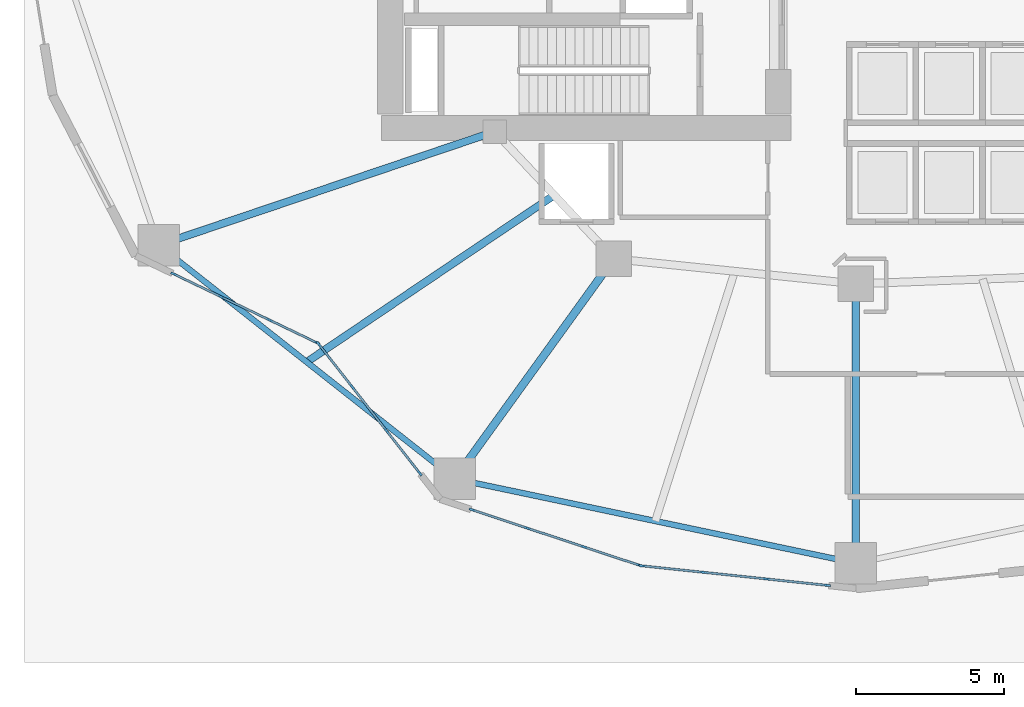
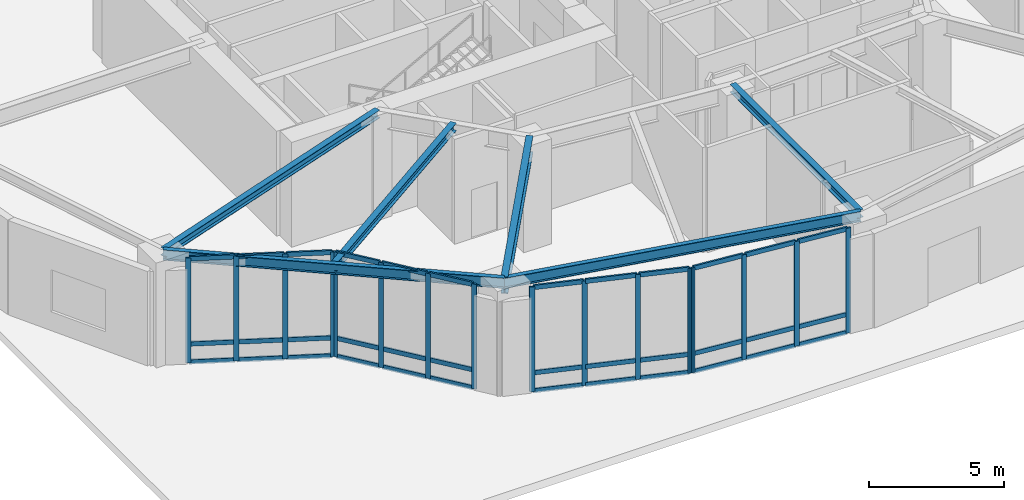
# One storey, part 2 of 23: 52 members, 6 beams, 4 elements without a shape of their own.
"""IFC4 building model written with IfcOpenShell, lengths in metres."""

from ifc_helpers import new_model, si_unit, direction, frame, origin, origin_2d, place, context, subcontext, project, spatial, rectangle, i_section, extrude, material, layer, layer_set, material_profile, profile_set, type_object, element, aggregate, save


model = new_model("IFC4")

# Units and contexts
model_context = context("Model", 3, precision=1e-05, world=origin(), true_north=direction((0.0, 1.0)))
body_context = subcontext(model_context, "Body", "Model", "MODEL_VIEW")
ifc_project = project(units=[si_unit("LENGTHUNIT", "METRE"), si_unit("AREAUNIT", "SQUARE_METRE"), si_unit("VOLUMEUNIT", "CUBIC_METRE"), si_unit("PLANEANGLEUNIT", "RADIAN"), si_unit("MASSUNIT", "GRAM", prefix="KILO")], contexts=[model_context])

# Site, building, storey
site_placement = place(None, origin())
site = spatial("IfcSite", under=ifc_project, at=site_placement, CompositionType="ELEMENT")
building_placement = place(site_placement, origin())
building = spatial("IfcBuilding", under=site, at=building_placement, Name="Kolvaren Gate Tower and Convention Centre", CompositionType="ELEMENT")
storey_placement = place(building_placement, origin())
storey = spatial("IfcBuildingStorey", under=building, at=storey_placement, Name="L00", CompositionType="ELEMENT", Elevation=0.0)

# Curtain wall, members
ifc_material_1 = material(Name="Anodized Architectural Aluminium Alloy 6063-T6", Category="aluminium")
ifc_layer = layer(ifc_material_1, 0.179931640625)
ifc_layer_set = layer_set([ifc_layer], Name="Anodized Architectural Aluminium Alloy 6063-T6")
curtain_wall_type = type_object("IfcCurtainWallType", Name="CW-POD-GLZ", PredefinedType="NOTDEFINED", material=ifc_layer_set)
curtain_wall_1_placement = place(storey_placement, origin())
curtain_wall_1 = element("IfcCurtainWall", 1, at=curtain_wall_1_placement, inside=storey, type_object=curtain_wall_type, Name="Tower L00 Unitised Curtain Wall CW-POD-GLZ Bay 14", PredefinedType="NOTDEFINED")
ifc_material_profile_1 = material_profile(ifc_material_1, rectangle(XDim=0.074951171875, YDim=0.199951171875, at=origin_2d()), Name="CW-MEM-MUL-200")
ifc_profile_set_1 = profile_set([ifc_material_profile_1], Name="Anodized Architectural Aluminium Alloy 6063-T6")
member_type_1 = type_object("IfcMemberType", Name="CW-MEM-MUL-200", PredefinedType="MULLION", material=ifc_profile_set_1)
member_1_placement = place(storey_placement, frame((7.046630859375, 15.1357421875, 0.0), z_axis=(0.0, 0.0, 1.0), x_axis=(0.433056703319, 0.901366679942, 0.0)))
member_1 = element("IfcMember", 2, at=member_1_placement, type_object=member_type_1, Name="CW-01 mullion 1", PredefinedType="MULLION", context=body_context, shape_type="SweptSolid", body=[
    extrude(rectangle(XDim=0.074951171875, YDim=0.199951171875, at=origin_2d()), origin(), (0.0, 0.0, 1.0), 4.739990234375),
])
member_2_placement = place(storey_placement, frame((8.6533203125, 14.36376953125, 0.0), z_axis=(0.0, 0.0, 1.0), x_axis=(0.433056703319, 0.901366679942, 0.0)))
member_2 = element("IfcMember", 3, at=member_2_placement, type_object=member_type_1, Name="CW-01 mullion 2", PredefinedType="MULLION", context=body_context, shape_type="SweptSolid", body=[
    extrude(rectangle(XDim=0.074951171875, YDim=0.199951171875, at=origin_2d()), origin(), (0.0, 0.0, 1.0), 4.739990234375),
])
member_3_placement = place(storey_placement, frame((10.2939453125, 13.575439453125, 0.0), z_axis=(0.0, 0.0, 1.0), x_axis=(0.433056703319, 0.901366679942, 0.0)))
member_3 = element("IfcMember", 4, at=member_3_placement, type_object=member_type_1, Name="CW-01 mullion 3", PredefinedType="MULLION", context=body_context, shape_type="SweptSolid", body=[
    extrude(rectangle(XDim=0.074951171875, YDim=0.199951171875, at=origin_2d()), origin(), (0.0, 0.0, 1.0), 4.739990234375),
])
member_4_placement = place(storey_placement, frame((11.90087890625, 12.803466796875, 0.0), z_axis=(0.0, 0.0, 1.0), x_axis=(0.433056703319, 0.901366679942, 0.0)))
member_4 = element("IfcMember", 5, at=member_4_placement, type_object=member_type_1, Name="CW-01 mullion 4", PredefinedType="MULLION", context=body_context, shape_type="SweptSolid", body=[
    extrude(rectangle(XDim=0.074951171875, YDim=0.199951171875, at=origin_2d()), origin(), (0.0, 0.0, 1.0), 4.739990234375),
])

curtain_wall_2_placement = place(storey_placement, origin())
curtain_wall_2 = element("IfcCurtainWall", 6, at=curtain_wall_2_placement, inside=storey, type_object=curtain_wall_type, Name="Tower L00 Unitised Curtain Wall CW-POD-GLZ Bay 15", PredefinedType="NOTDEFINED")
member_5_placement = place(storey_placement, frame((11.957763671875, 12.757568359375, 0.0), z_axis=(0.0, 0.0, 1.0), x_axis=(0.787416755422, 0.616421003276, 0.0)))
member_5 = element("IfcMember", 7, at=member_5_placement, type_object=member_type_1, Name="CW-01 mullion 1", PredefinedType="MULLION", context=body_context, shape_type="SweptSolid", body=[
    extrude(rectangle(XDim=0.074951171875, YDim=0.199951171875, at=origin_2d()), origin(), (0.0, 0.0, 1.0), 4.739990234375),
])
member_6_placement = place(storey_placement, frame((13.08935546875, 11.31201171875, 0.0), z_axis=(0.0, 0.0, 1.0), x_axis=(0.787416755422, 0.616421003276, 0.0)))
member_6 = element("IfcMember", 8, at=member_6_placement, type_object=member_type_1, Name="CW-01 mullion 2", PredefinedType="MULLION", context=body_context, shape_type="SweptSolid", body=[
    extrude(rectangle(XDim=0.074951171875, YDim=0.199951171875, at=origin_2d()), origin(), (0.0, 0.0, 1.0), 4.739990234375),
])
member_7_placement = place(storey_placement, frame((14.244140625, 9.8369140625, 0.0), z_axis=(0.0, 0.0, 1.0), x_axis=(0.787416755422, 0.616421003276, 0.0)))
member_7 = element("IfcMember", 9, at=member_7_placement, type_object=member_type_1, Name="CW-01 mullion 3", PredefinedType="MULLION", context=body_context, shape_type="SweptSolid", body=[
    extrude(rectangle(XDim=0.074951171875, YDim=0.199951171875, at=origin_2d()), origin(), (0.0, 0.0, 1.0), 4.739990234375),
])
member_8_placement = place(storey_placement, frame((15.3759765625, 8.391357421875, 0.0), z_axis=(0.0, 0.0, 1.0), x_axis=(0.787416755422, 0.616421003276, 0.0)))
member_8 = element("IfcMember", 10, at=member_8_placement, type_object=member_type_1, Name="CW-01 mullion 4", PredefinedType="MULLION", context=body_context, shape_type="SweptSolid", body=[
    extrude(rectangle(XDim=0.074951171875, YDim=0.199951171875, at=origin_2d()), origin(), (0.0, 0.0, 1.0), 4.739990234375),
])

curtain_wall_3_placement = place(storey_placement, origin())
curtain_wall_3 = element("IfcCurtainWall", 11, at=curtain_wall_3_placement, inside=storey, type_object=curtain_wall_type, Name="Tower L00 Unitised Curtain Wall CW-POD-GLZ Bay 16", PredefinedType="NOTDEFINED")
member_9_placement = place(storey_placement, frame((17.137451171875, 7.158203125, 0.0), z_axis=(0.0, 0.0, 1.0), x_axis=(0.314546537175, 0.949242053404, 0.0)))
member_9 = element("IfcMember", 12, at=member_9_placement, type_object=member_type_1, Name="CW-01 mullion 1", PredefinedType="MULLION", context=body_context, shape_type="SweptSolid", body=[
    extrude(rectangle(XDim=0.074951171875, YDim=0.199951171875, at=origin_2d()), origin(), (0.0, 0.0, 1.0), 4.739990234375),
])
member_10_placement = place(storey_placement, frame((19.0166015625, 6.53564453125, 0.0), z_axis=(0.0, 0.0, 1.0), x_axis=(0.314546537175, 0.949242053404, 0.0)))
member_10 = element("IfcMember", 13, at=member_10_placement, type_object=member_type_1, Name="CW-01 mullion 2", PredefinedType="MULLION", context=body_context, shape_type="SweptSolid", body=[
    extrude(rectangle(XDim=0.074951171875, YDim=0.199951171875, at=origin_2d()), origin(), (0.0, 0.0, 1.0), 4.739990234375),
])
member_11_placement = place(storey_placement, frame((20.93115234375, 5.901123046875, 0.0), z_axis=(0.0, 0.0, 1.0), x_axis=(0.314546537175, 0.949242053404, 0.0)))
member_11 = element("IfcMember", 14, at=member_11_placement, type_object=member_type_1, Name="CW-01 mullion 3", PredefinedType="MULLION", context=body_context, shape_type="SweptSolid", body=[
    extrude(rectangle(XDim=0.074951171875, YDim=0.199951171875, at=origin_2d()), origin(), (0.0, 0.0, 1.0), 4.739990234375),
])
member_12_placement = place(storey_placement, frame((22.81005859375, 5.278564453125, 0.0), z_axis=(0.0, 0.0, 1.0), x_axis=(0.314546537175, 0.949242053404, 0.0)))
member_12 = element("IfcMember", 15, at=member_12_placement, type_object=member_type_1, Name="CW-01 mullion 4", PredefinedType="MULLION", context=body_context, shape_type="SweptSolid", body=[
    extrude(rectangle(XDim=0.074951171875, YDim=0.199951171875, at=origin_2d()), origin(), (0.0, 0.0, 1.0), 4.739990234375),
])

curtain_wall_4_placement = place(storey_placement, origin())
curtain_wall_4 = element("IfcCurtainWall", 16, at=curtain_wall_4_placement, inside=storey, type_object=curtain_wall_type, Name="Tower L00 Unitised Curtain Wall CW-POD-GLZ Bay 17", PredefinedType="NOTDEFINED")
member_13_placement = place(storey_placement, frame((22.883056640625, 5.2626953125, 0.0), z_axis=(0.0, 0.0, 1.0), x_axis=(0.104741799872, 0.994499449653, 0.0)))
member_13 = element("IfcMember", 17, at=member_13_placement, type_object=member_type_1, Name="CW-01 mullion 1", PredefinedType="MULLION", context=body_context, shape_type="SweptSolid", body=[
    extrude(rectangle(XDim=0.074951171875, YDim=0.199951171875, at=origin_2d()), origin(), (0.0, 0.0, 1.0), 4.739990234375),
])
member_14_placement = place(storey_placement, frame((24.96435546875, 5.04345703125, 0.0), z_axis=(0.0, 0.0, 1.0), x_axis=(0.104741799872, 0.994499449653, 0.0)))
member_14 = element("IfcMember", 18, at=member_14_placement, type_object=member_type_1, Name="CW-01 mullion 2", PredefinedType="MULLION", context=body_context, shape_type="SweptSolid", body=[
    extrude(rectangle(XDim=0.074951171875, YDim=0.199951171875, at=origin_2d()), origin(), (0.0, 0.0, 1.0), 4.739990234375),
])
member_15_placement = place(storey_placement, frame((27.0830078125, 4.8203125, 0.0), z_axis=(0.0, 0.0, 1.0), x_axis=(0.104741799872, 0.994499449653, 0.0)))
member_15 = element("IfcMember", 19, at=member_15_placement, type_object=member_type_1, Name="CW-01 mullion 3", PredefinedType="MULLION", context=body_context, shape_type="SweptSolid", body=[
    extrude(rectangle(XDim=0.074951171875, YDim=0.199951171875, at=origin_2d()), origin(), (0.0, 0.0, 1.0), 4.739990234375),
])
member_16_placement = place(storey_placement, frame((29.164306640625, 4.601318359375, 0.0), z_axis=(0.0, 0.0, 1.0), x_axis=(0.104741799872, 0.994499449653, 0.0)))
member_16 = element("IfcMember", 20, at=member_16_placement, type_object=member_type_1, Name="CW-01 mullion 4", PredefinedType="MULLION", context=body_context, shape_type="SweptSolid", body=[
    extrude(rectangle(XDim=0.074951171875, YDim=0.199951171875, at=origin_2d()), origin(), (0.0, 0.0, 1.0), 4.739990234375),
])

# Member
ifc_material_profile_2 = material_profile(ifc_material_1, rectangle(XDim=0.074951171875, YDim=0.199951171875, at=origin_2d()), Name="CW-MEM-TRN-200")
ifc_profile_set_2 = profile_set([ifc_material_profile_2], Name="Anodized Architectural Aluminium Alloy 6063-T6")
member_type_2 = type_object("IfcMemberType", Name="CW-MEM-TRN-200", PredefinedType="USERDEFINED", material=ifc_profile_set_2)
member_17_placement = place(storey_placement, frame((7.080322265625, 15.119384765625, 0.03759765625), z_axis=(0.901377999465, -0.433033142011, 0.0), x_axis=(0.433033142011, 0.901377999465, 0.0)))
member_17 = element("IfcMember", 21, at=member_17_placement, type_object=member_type_2, Name="CW-01 transom 1.1", ObjectType="TRANSOM", PredefinedType="USERDEFINED", context=body_context, shape_type="SweptSolid", body=[
    extrude(rectangle(XDim=0.074951171875, YDim=0.199951171875, at=origin_2d()), origin(), (0.0, 0.0, 1.0), 1.707763671875),
])

member_18_placement = place(storey_placement, frame((7.080322265625, 15.119384765625, 0.85009765625), z_axis=(0.901377999465, -0.433033142011, 0.0), x_axis=(0.433033142011, 0.901377999465, 0.0)))
member_18 = element("IfcMember", 22, at=member_18_placement, type_object=member_type_2, Name="CW-01 transom 1.2", ObjectType="TRANSOM", PredefinedType="USERDEFINED", context=body_context, shape_type="SweptSolid", body=[
    extrude(rectangle(XDim=0.074951171875, YDim=0.199951171875, at=origin_2d()), origin(), (0.0, 0.0, 1.0), 1.707763671875),
])

member_19_placement = place(storey_placement, frame((7.080322265625, 15.119384765625, 4.702392578125), z_axis=(0.901377999465, -0.433033142011, 0.0), x_axis=(0.433033142011, 0.901377999465, 0.0)))
member_19 = element("IfcMember", 23, at=member_19_placement, type_object=member_type_2, Name="CW-01 transom 1.3", ObjectType="TRANSOM", PredefinedType="USERDEFINED", context=body_context, shape_type="SweptSolid", body=[
    extrude(rectangle(XDim=0.074951171875, YDim=0.199951171875, at=origin_2d()), origin(), (0.0, 0.0, 1.0), 1.707763671875),
])

member_20_placement = place(storey_placement, frame((8.687255859375, 14.347412109375, 0.03759765625), z_axis=(0.901339603895, -0.433113055046, 0.0), x_axis=(0.433113055046, 0.901339603895, 0.0)))
member_20 = element("IfcMember", 24, at=member_20_placement, type_object=member_type_2, Name="CW-01 transom 2.1", ObjectType="TRANSOM", PredefinedType="USERDEFINED", context=body_context, shape_type="SweptSolid", body=[
    extrude(rectangle(XDim=0.074951171875, YDim=0.199951171875, at=origin_2d()), origin(), (0.0, 0.0, 1.0), 1.7451171875),
])

member_21_placement = place(storey_placement, frame((8.687255859375, 14.347412109375, 0.85009765625), z_axis=(0.901339603895, -0.433113055046, 0.0), x_axis=(0.433113055046, 0.901339603895, 0.0)))
member_21 = element("IfcMember", 25, at=member_21_placement, type_object=member_type_2, Name="CW-01 transom 2.2", ObjectType="TRANSOM", PredefinedType="USERDEFINED", context=body_context, shape_type="SweptSolid", body=[
    extrude(rectangle(XDim=0.074951171875, YDim=0.199951171875, at=origin_2d()), origin(), (0.0, 0.0, 1.0), 1.7451171875),
])

member_22_placement = place(storey_placement, frame((8.687255859375, 14.347412109375, 4.702392578125), z_axis=(0.901339603895, -0.433113055046, 0.0), x_axis=(0.433113055046, 0.901339603895, 0.0)))
member_22 = element("IfcMember", 26, at=member_22_placement, type_object=member_type_2, Name="CW-01 transom 2.3", ObjectType="TRANSOM", PredefinedType="USERDEFINED", context=body_context, shape_type="SweptSolid", body=[
    extrude(rectangle(XDim=0.074951171875, YDim=0.199951171875, at=origin_2d()), origin(), (0.0, 0.0, 1.0), 1.7451171875),
])

member_23_placement = place(storey_placement, frame((10.327880859375, 13.55908203125, 0.03759765625), z_axis=(0.901377999465, -0.433033142011, 0.0), x_axis=(0.433033142011, 0.901377999465, 0.0)))
member_23 = element("IfcMember", 27, at=member_23_placement, type_object=member_type_2, Name="CW-01 transom 3.1", ObjectType="TRANSOM", PredefinedType="USERDEFINED", context=body_context, shape_type="SweptSolid", body=[
    extrude(rectangle(XDim=0.074951171875, YDim=0.199951171875, at=origin_2d()), origin(), (0.0, 0.0, 1.0), 1.707763671875),
])

member_24_placement = place(storey_placement, frame((10.327880859375, 13.55908203125, 0.85009765625), z_axis=(0.901377999465, -0.433033142011, 0.0), x_axis=(0.433033142011, 0.901377999465, 0.0)))
member_24 = element("IfcMember", 28, at=member_24_placement, type_object=member_type_2, Name="CW-01 transom 3.2", ObjectType="TRANSOM", PredefinedType="USERDEFINED", context=body_context, shape_type="SweptSolid", body=[
    extrude(rectangle(XDim=0.074951171875, YDim=0.199951171875, at=origin_2d()), origin(), (0.0, 0.0, 1.0), 1.707763671875),
])

member_25_placement = place(storey_placement, frame((10.327880859375, 13.55908203125, 4.702392578125), z_axis=(0.901377999465, -0.433033142011, 0.0), x_axis=(0.433033142011, 0.901377999465, 0.0)))
member_25 = element("IfcMember", 29, at=member_25_placement, type_object=member_type_2, Name="CW-01 transom 3.3", ObjectType="TRANSOM", PredefinedType="USERDEFINED", context=body_context, shape_type="SweptSolid", body=[
    extrude(rectangle(XDim=0.074951171875, YDim=0.199951171875, at=origin_2d()), origin(), (0.0, 0.0, 1.0), 1.707763671875),
])

aggregate(curtain_wall_1, [member_1, member_2, member_3, member_4, member_17, member_18, member_19, member_20, member_21, member_22, member_23, member_24, member_25])

member_26_placement = place(storey_placement, frame((11.98095703125, 12.72802734375, 0.03759765625), z_axis=(0.616442840137, -0.787399660175, 0.0), x_axis=(0.787399660175, 0.616442840137, 0.0)))
member_26 = element("IfcMember", 30, at=member_26_placement, type_object=member_type_2, Name="CW-01 transom 1.1", ObjectType="TRANSOM", PredefinedType="USERDEFINED", context=body_context, shape_type="SweptSolid", body=[
    extrude(rectangle(XDim=0.074951171875, YDim=0.199951171875, at=origin_2d()), origin(), (0.0, 0.0, 1.0), 1.7607421875),
])

member_27_placement = place(storey_placement, frame((11.98095703125, 12.72802734375, 0.85009765625), z_axis=(0.616442840137, -0.787399660175, 0.0), x_axis=(0.787399660175, 0.616442840137, 0.0)))
member_27 = element("IfcMember", 31, at=member_27_placement, type_object=member_type_2, Name="CW-01 transom 1.2", ObjectType="TRANSOM", PredefinedType="USERDEFINED", context=body_context, shape_type="SweptSolid", body=[
    extrude(rectangle(XDim=0.074951171875, YDim=0.199951171875, at=origin_2d()), origin(), (0.0, 0.0, 1.0), 1.7607421875),
])

member_28_placement = place(storey_placement, frame((11.98095703125, 12.72802734375, 4.702392578125), z_axis=(0.616442840137, -0.787399660175, 0.0), x_axis=(0.787399660175, 0.616442840137, 0.0)))
member_28 = element("IfcMember", 32, at=member_28_placement, type_object=member_type_2, Name="CW-01 transom 1.3", ObjectType="TRANSOM", PredefinedType="USERDEFINED", context=body_context, shape_type="SweptSolid", body=[
    extrude(rectangle(XDim=0.074951171875, YDim=0.199951171875, at=origin_2d()), origin(), (0.0, 0.0, 1.0), 1.7607421875),
])

member_29_placement = place(storey_placement, frame((13.112548828125, 11.282470703125, 0.03759765625), z_axis=(0.616465649316, -0.787381802694, 0.0), x_axis=(0.787381802694, 0.616465649316, 0.0)))
member_29 = element("IfcMember", 33, at=member_29_placement, type_object=member_type_2, Name="CW-01 transom 2.1", ObjectType="TRANSOM", PredefinedType="USERDEFINED", context=body_context, shape_type="SweptSolid", body=[
    extrude(rectangle(XDim=0.074951171875, YDim=0.199951171875, at=origin_2d()), origin(), (0.0, 0.0, 1.0), 1.79833984375),
])

member_30_placement = place(storey_placement, frame((13.112548828125, 11.282470703125, 0.85009765625), z_axis=(0.616465649316, -0.787381802694, 0.0), x_axis=(0.787381802694, 0.616465649316, 0.0)))
member_30 = element("IfcMember", 34, at=member_30_placement, type_object=member_type_2, Name="CW-01 transom 2.2", ObjectType="TRANSOM", PredefinedType="USERDEFINED", context=body_context, shape_type="SweptSolid", body=[
    extrude(rectangle(XDim=0.074951171875, YDim=0.199951171875, at=origin_2d()), origin(), (0.0, 0.0, 1.0), 1.79833984375),
])

member_31_placement = place(storey_placement, frame((13.112548828125, 11.282470703125, 4.702392578125), z_axis=(0.616465649316, -0.787381802694, 0.0), x_axis=(0.787381802694, 0.616465649316, 0.0)))
member_31 = element("IfcMember", 35, at=member_31_placement, type_object=member_type_2, Name="CW-01 transom 2.3", ObjectType="TRANSOM", PredefinedType="USERDEFINED", context=body_context, shape_type="SweptSolid", body=[
    extrude(rectangle(XDim=0.074951171875, YDim=0.199951171875, at=origin_2d()), origin(), (0.0, 0.0, 1.0), 1.79833984375),
])

member_32_placement = place(storey_placement, frame((14.267333984375, 9.807373046875, 0.03759765625), z_axis=(0.616442840137, -0.787399660175, 0.0), x_axis=(0.787399660175, 0.616442840137, 0.0)))
member_32 = element("IfcMember", 36, at=member_32_placement, type_object=member_type_2, Name="CW-01 transom 3.1", ObjectType="TRANSOM", PredefinedType="USERDEFINED", context=body_context, shape_type="SweptSolid", body=[
    extrude(rectangle(XDim=0.074951171875, YDim=0.199951171875, at=origin_2d()), origin(), (0.0, 0.0, 1.0), 1.7607421875),
])

member_33_placement = place(storey_placement, frame((14.267333984375, 9.807373046875, 0.85009765625), z_axis=(0.616442840137, -0.787399660175, 0.0), x_axis=(0.787399660175, 0.616442840137, 0.0)))
member_33 = element("IfcMember", 37, at=member_33_placement, type_object=member_type_2, Name="CW-01 transom 3.2", ObjectType="TRANSOM", PredefinedType="USERDEFINED", context=body_context, shape_type="SweptSolid", body=[
    extrude(rectangle(XDim=0.074951171875, YDim=0.199951171875, at=origin_2d()), origin(), (0.0, 0.0, 1.0), 1.7607421875),
])

member_34_placement = place(storey_placement, frame((14.267333984375, 9.807373046875, 4.702392578125), z_axis=(0.616442840137, -0.787399660175, 0.0), x_axis=(0.787399660175, 0.616442840137, 0.0)))
member_34 = element("IfcMember", 38, at=member_34_placement, type_object=member_type_2, Name="CW-01 transom 3.3", ObjectType="TRANSOM", PredefinedType="USERDEFINED", context=body_context, shape_type="SweptSolid", body=[
    extrude(rectangle(XDim=0.074951171875, YDim=0.199951171875, at=origin_2d()), origin(), (0.0, 0.0, 1.0), 1.7607421875),
])

aggregate(curtain_wall_2, [member_5, member_6, member_7, member_8, member_26, member_27, member_28, member_29, member_30, member_31, member_32, member_33, member_34])

member_35_placement = place(storey_placement, frame((17.173095703125, 7.146484375, 0.03759765625), z_axis=(0.949233065789, -0.314573658804, 0.0), x_axis=(0.314573658804, 0.949233065789, 0.0)))
member_35 = element("IfcMember", 39, at=member_35_placement, type_object=member_type_2, Name="CW-01 transom 1.1", ObjectType="TRANSOM", PredefinedType="USERDEFINED", context=body_context, shape_type="SweptSolid", body=[
    extrude(rectangle(XDim=0.074951171875, YDim=0.199951171875, at=origin_2d()), origin(), (0.0, 0.0, 1.0), 1.904541015625),
])

member_36_placement = place(storey_placement, frame((17.173095703125, 7.146484375, 0.85009765625), z_axis=(0.949233065789, -0.314573658804, 0.0), x_axis=(0.314573658804, 0.949233065789, 0.0)))
member_36 = element("IfcMember", 40, at=member_36_placement, type_object=member_type_2, Name="CW-01 transom 1.2", ObjectType="TRANSOM", PredefinedType="USERDEFINED", context=body_context, shape_type="SweptSolid", body=[
    extrude(rectangle(XDim=0.074951171875, YDim=0.199951171875, at=origin_2d()), origin(), (0.0, 0.0, 1.0), 1.904541015625),
])

member_37_placement = place(storey_placement, frame((17.173095703125, 7.146484375, 4.702392578125), z_axis=(0.949233065789, -0.314573658804, 0.0), x_axis=(0.314573658804, 0.949233065789, 0.0)))
member_37 = element("IfcMember", 41, at=member_37_placement, type_object=member_type_2, Name="CW-01 transom 1.3", ObjectType="TRANSOM", PredefinedType="USERDEFINED", context=body_context, shape_type="SweptSolid", body=[
    extrude(rectangle(XDim=0.074951171875, YDim=0.199951171875, at=origin_2d()), origin(), (0.0, 0.0, 1.0), 1.904541015625),
])

member_38_placement = place(storey_placement, frame((19.052001953125, 6.523681640625, 0.03759765625), z_axis=(0.949247481786, -0.314530154871, 0.0), x_axis=(0.314530154871, 0.949247481786, 0.0)))
member_38 = element("IfcMember", 42, at=member_38_placement, type_object=member_type_2, Name="CW-01 transom 2.1", ObjectType="TRANSOM", PredefinedType="USERDEFINED", context=body_context, shape_type="SweptSolid", body=[
    extrude(rectangle(XDim=0.074951171875, YDim=0.199951171875, at=origin_2d()), origin(), (0.0, 0.0, 1.0), 1.942138671875),
])

member_39_placement = place(storey_placement, frame((19.052001953125, 6.523681640625, 0.85009765625), z_axis=(0.949247481786, -0.314530154871, 0.0), x_axis=(0.314530154871, 0.949247481786, 0.0)))
member_39 = element("IfcMember", 43, at=member_39_placement, type_object=member_type_2, Name="CW-01 transom 2.2", ObjectType="TRANSOM", PredefinedType="USERDEFINED", context=body_context, shape_type="SweptSolid", body=[
    extrude(rectangle(XDim=0.074951171875, YDim=0.199951171875, at=origin_2d()), origin(), (0.0, 0.0, 1.0), 1.942138671875),
])

member_40_placement = place(storey_placement, frame((19.052001953125, 6.523681640625, 4.702392578125), z_axis=(0.949247481786, -0.314530154871, 0.0), x_axis=(0.314530154871, 0.949247481786, 0.0)))
member_40 = element("IfcMember", 44, at=member_40_placement, type_object=member_type_2, Name="CW-01 transom 2.3", ObjectType="TRANSOM", PredefinedType="USERDEFINED", context=body_context, shape_type="SweptSolid", body=[
    extrude(rectangle(XDim=0.074951171875, YDim=0.199951171875, at=origin_2d()), origin(), (0.0, 0.0, 1.0), 1.942138671875),
])

member_41_placement = place(storey_placement, frame((20.966796875, 5.889404296875, 0.03759765625), z_axis=(0.949220378414, -0.314611940657, 0.0), x_axis=(0.314611940657, 0.949220378414, 0.0)))
member_41 = element("IfcMember", 45, at=member_41_placement, type_object=member_type_2, Name="CW-01 transom 3.1", ObjectType="TRANSOM", PredefinedType="USERDEFINED", context=body_context, shape_type="SweptSolid", body=[
    extrude(rectangle(XDim=0.074951171875, YDim=0.199951171875, at=origin_2d()), origin(), (0.0, 0.0, 1.0), 1.904296875),
])

member_42_placement = place(storey_placement, frame((20.966796875, 5.889404296875, 0.85009765625), z_axis=(0.949220378414, -0.314611940657, 0.0), x_axis=(0.314611940657, 0.949220378414, 0.0)))
member_42 = element("IfcMember", 46, at=member_42_placement, type_object=member_type_2, Name="CW-01 transom 3.2", ObjectType="TRANSOM", PredefinedType="USERDEFINED", context=body_context, shape_type="SweptSolid", body=[
    extrude(rectangle(XDim=0.074951171875, YDim=0.199951171875, at=origin_2d()), origin(), (0.0, 0.0, 1.0), 1.904296875),
])

member_43_placement = place(storey_placement, frame((20.966796875, 5.889404296875, 4.702392578125), z_axis=(0.949220378414, -0.314611940657, 0.0), x_axis=(0.314611940657, 0.949220378414, 0.0)))
member_43 = element("IfcMember", 47, at=member_43_placement, type_object=member_type_2, Name="CW-01 transom 3.3", ObjectType="TRANSOM", PredefinedType="USERDEFINED", context=body_context, shape_type="SweptSolid", body=[
    extrude(rectangle(XDim=0.074951171875, YDim=0.199951171875, at=origin_2d()), origin(), (0.0, 0.0, 1.0), 1.904296875),
])

aggregate(curtain_wall_3, [member_9, member_10, member_11, member_12, member_35, member_36, member_37, member_38, member_39, member_40, member_41, member_42, member_43])

member_44_placement = place(storey_placement, frame((22.920166015625, 5.2587890625, 0.03759765625), z_axis=(0.994508767121, -0.104653294837, 0.0), x_axis=(0.104653294837, 0.994508767121, 0.0)))
member_44 = element("IfcMember", 48, at=member_44_placement, type_object=member_type_2, Name="CW-01 transom 1.1", ObjectType="TRANSOM", PredefinedType="USERDEFINED", context=body_context, shape_type="SweptSolid", body=[
    extrude(rectangle(XDim=0.074951171875, YDim=0.199951171875, at=origin_2d()), origin(), (0.0, 0.0, 1.0), 2.017822265625),
])

member_45_placement = place(storey_placement, frame((22.920166015625, 5.2587890625, 0.85009765625), z_axis=(0.994508767121, -0.104653294837, 0.0), x_axis=(0.104653294837, 0.994508767121, 0.0)))
member_45 = element("IfcMember", 49, at=member_45_placement, type_object=member_type_2, Name="CW-01 transom 1.2", ObjectType="TRANSOM", PredefinedType="USERDEFINED", context=body_context, shape_type="SweptSolid", body=[
    extrude(rectangle(XDim=0.074951171875, YDim=0.199951171875, at=origin_2d()), origin(), (0.0, 0.0, 1.0), 2.017822265625),
])

member_46_placement = place(storey_placement, frame((22.920166015625, 5.2587890625, 4.702392578125), z_axis=(0.994508767121, -0.104653294837, 0.0), x_axis=(0.104653294837, 0.994508767121, 0.0)))
member_46 = element("IfcMember", 50, at=member_46_placement, type_object=member_type_2, Name="CW-01 transom 1.3", ObjectType="TRANSOM", PredefinedType="USERDEFINED", context=body_context, shape_type="SweptSolid", body=[
    extrude(rectangle(XDim=0.074951171875, YDim=0.199951171875, at=origin_2d()), origin(), (0.0, 0.0, 1.0), 2.017822265625),
])

member_47_placement = place(storey_placement, frame((25.001708984375, 5.03955078125, 0.03759765625), z_axis=(0.994508706958, -0.104653866559, 0.0), x_axis=(0.104653866559, 0.994508706958, 0.0)))
member_47 = element("IfcMember", 51, at=member_47_placement, type_object=member_type_2, Name="CW-01 transom 2.1", ObjectType="TRANSOM", PredefinedType="USERDEFINED", context=body_context, shape_type="SweptSolid", body=[
    extrude(rectangle(XDim=0.074951171875, YDim=0.199951171875, at=origin_2d()), origin(), (0.0, 0.0, 1.0), 2.05517578125),
])

member_48_placement = place(storey_placement, frame((25.001708984375, 5.03955078125, 0.85009765625), z_axis=(0.994508706958, -0.104653866559, 0.0), x_axis=(0.104653866559, 0.994508706958, 0.0)))
member_48 = element("IfcMember", 52, at=member_48_placement, type_object=member_type_2, Name="CW-01 transom 2.2", ObjectType="TRANSOM", PredefinedType="USERDEFINED", context=body_context, shape_type="SweptSolid", body=[
    extrude(rectangle(XDim=0.074951171875, YDim=0.199951171875, at=origin_2d()), origin(), (0.0, 0.0, 1.0), 2.05517578125),
])

member_49_placement = place(storey_placement, frame((25.001708984375, 5.03955078125, 4.702392578125), z_axis=(0.994508706958, -0.104653866559, 0.0), x_axis=(0.104653866559, 0.994508706958, 0.0)))
member_49 = element("IfcMember", 53, at=member_49_placement, type_object=member_type_2, Name="CW-01 transom 2.3", ObjectType="TRANSOM", PredefinedType="USERDEFINED", context=body_context, shape_type="SweptSolid", body=[
    extrude(rectangle(XDim=0.074951171875, YDim=0.199951171875, at=origin_2d()), origin(), (0.0, 0.0, 1.0), 2.05517578125),
])

member_50_placement = place(storey_placement, frame((27.1201171875, 4.81640625, 0.03759765625), z_axis=(0.994508767121, -0.104653294837, 0.0), x_axis=(0.104653294837, 0.994508767121, 0.0)))
member_50 = element("IfcMember", 54, at=member_50_placement, type_object=member_type_2, Name="CW-01 transom 3.1", ObjectType="TRANSOM", PredefinedType="USERDEFINED", context=body_context, shape_type="SweptSolid", body=[
    extrude(rectangle(XDim=0.074951171875, YDim=0.199951171875, at=origin_2d()), origin(), (0.0, 0.0, 1.0), 2.017822265625),
])

member_51_placement = place(storey_placement, frame((27.1201171875, 4.81640625, 0.85009765625), z_axis=(0.994508767121, -0.104653294837, 0.0), x_axis=(0.104653294837, 0.994508767121, 0.0)))
member_51 = element("IfcMember", 55, at=member_51_placement, type_object=member_type_2, Name="CW-01 transom 3.2", ObjectType="TRANSOM", PredefinedType="USERDEFINED", context=body_context, shape_type="SweptSolid", body=[
    extrude(rectangle(XDim=0.074951171875, YDim=0.199951171875, at=origin_2d()), origin(), (0.0, 0.0, 1.0), 2.017822265625),
])

member_52_placement = place(storey_placement, frame((27.1201171875, 4.81640625, 4.702392578125), z_axis=(0.994508767121, -0.104653294837, 0.0), x_axis=(0.104653294837, 0.994508767121, 0.0)))
member_52 = element("IfcMember", 56, at=member_52_placement, type_object=member_type_2, Name="CW-01 transom 3.3", ObjectType="TRANSOM", PredefinedType="USERDEFINED", context=body_context, shape_type="SweptSolid", body=[
    extrude(rectangle(XDim=0.074951171875, YDim=0.199951171875, at=origin_2d()), origin(), (0.0, 0.0, 1.0), 2.017822265625),
])

aggregate(curtain_wall_4, [member_13, member_14, member_15, member_16, member_44, member_45, member_46, member_47, member_48, member_49, member_50, member_51, member_52])

# Beams
ifc_material_2 = material(Name="Structural steel ASTM A992 Grade 345 MPa", Category="steel")
ifc_material_profile_3 = material_profile(ifc_material_2, i_section(OverallWidth=0.26806640625, OverallDepth=0.758056640625, WebThickness=0.016357421875, FlangeThickness=0.025390625, at=origin_2d()), Name="W760X220")
ifc_profile_set_3 = profile_set([ifc_material_profile_3], Name="Structural steel ASTM A992 Grade 345 MPa")
beam_type_1 = type_object("IfcBeamType", Name="STR-BM-W760X220", PredefinedType="BEAM", material=ifc_profile_set_3)
beam_1_placement = place(storey_placement, frame((21.93212890625, 15.647705078125, 4.361083984375), z_axis=(-0.585206018873, -0.810884649919, 0.0), x_axis=(0.810884649919, -0.585206018873, 0.0)))
element("IfcBeam", 57, at=beam_1_placement, inside=storey, type_object=beam_type_1, Name="Tower L00 Radial Floor Girder RB-09", PredefinedType="BEAM", context=body_context, shape_type="SweptSolid", body=[
    extrude(i_section(OverallWidth=0.26806640625, OverallDepth=0.758056640625, WebThickness=0.016357421875, FlangeThickness=0.025390625, at=origin_2d()), origin(), (0.0, 0.0, 1.0), 9.18017578125),
])
ifc_material_profile_4 = material_profile(ifc_material_2, i_section(OverallWidth=0.2548828125, OverallDepth=0.35693359375, WebThickness=0.010498046875, FlangeThickness=0.018310546875, at=origin_2d()), Name="W360X101")
ifc_profile_set_4 = profile_set([ifc_material_profile_4], Name="Structural steel ASTM A992 Grade 345 MPa")
beam_type_2 = type_object("IfcBeamType", Name="STR-JS-W360X101", PredefinedType="JOIST", material=ifc_profile_set_4)
beam_2_placement = place(storey_placement, frame((17.9140625, 19.949951171875, 4.5615234375), z_axis=(-0.947373842609, -0.320129352512, 0.0), x_axis=(0.320129352512, -0.947373842609, 0.0)))
element("IfcBeam", 58, at=beam_2_placement, inside=storey, type_object=beam_type_2, Name="Tower L00 Radial Floor Girder RB-08", PredefinedType="JOIST", context=body_context, shape_type="SweptSolid", body=[
    extrude(i_section(OverallWidth=0.2548828125, OverallDepth=0.35693359375, WebThickness=0.010498046875, FlangeThickness=0.018310546875, at=origin_2d()), origin(), (0.0, 0.0, 1.0), 12.006103515625),
])
beam_3_placement = place(storey_placement, frame((30.125, 14.800048828125, 4.5615234375), z_axis=(0.0, -1.0, 0.0), x_axis=(1.0, 0.0, 0.0)))
element("IfcBeam", 59, at=beam_3_placement, inside=storey, type_object=beam_type_2, Name="Tower L00 Radial Floor Girder RB-10", PredefinedType="JOIST", context=body_context, shape_type="SweptSolid", body=[
    extrude(i_section(OverallWidth=0.2548828125, OverallDepth=0.35693359375, WebThickness=0.010498046875, FlangeThickness=0.018310546875, at=origin_2d()), origin(), (0.0, 0.0, 1.0), 9.449951171875),
])
beam_4_placement = place(storey_placement, frame((19.923095703125, 17.798828125, 4.5615234375), z_axis=(-0.829223797874, -0.558916713866, 0.0), x_axis=(0.558916713866, -0.829223797874, 0.0)))
element("IfcBeam", 60, at=beam_4_placement, inside=storey, type_object=beam_type_2, Name="Tower L00 Secondary Composite Floor Joist J-08.1", PredefinedType="JOIST", context=body_context, shape_type="SweptSolid", body=[
    extrude(i_section(OverallWidth=0.2548828125, OverallDepth=0.35693359375, WebThickness=0.010498046875, FlangeThickness=0.018310546875, at=origin_2d()), origin(), (0.0, 0.0, 1.0), 10.09765625),
])
ifc_material_profile_5 = material_profile(ifc_material_2, i_section(OverallWidth=0.194091796875, OverallDepth=0.468994140625, WebThickness=0.0126953125, FlangeThickness=0.0205078125, at=origin_2d()), Name="W460X106")
ifc_profile_set_5 = profile_set([ifc_material_profile_5], Name="Structural steel ASTM A992 Grade 345 MPa")
beam_type_3 = type_object("IfcBeamType", Name="STR-SP-W460X106", PredefinedType="SPANDREL", material=ifc_profile_set_5)
beam_5_placement = place(storey_placement, frame((6.539794921875, 16.1064453125, 4.505615234375), z_axis=(0.785176498861, -0.619272044933, 0.0), x_axis=(0.619272044933, 0.785176498861, 0.0)))
element("IfcBeam", 61, at=beam_5_placement, inside=storey, type_object=beam_type_3, Name="Tower L00 Perimeter Spandrel Beam SP-08", PredefinedType="SPANDREL", context=body_context, shape_type="SweptSolid", body=[
    extrude(i_section(OverallWidth=0.194091796875, OverallDepth=0.468994140625, WebThickness=0.0126953125, FlangeThickness=0.0205078125, at=origin_2d()), origin(), (0.0, 0.0, 1.0), 12.761474609375),
])
beam_6_placement = place(storey_placement, frame((16.559814453125, 8.20361328125, 4.505615234375), z_axis=(0.978583407863, -0.205850707685, 0.0), x_axis=(0.205850707685, 0.978583407863, 0.0)))
element("IfcBeam", 62, at=beam_6_placement, inside=storey, type_object=beam_type_3, Name="Tower L00 Perimeter Spandrel Beam SP-09", PredefinedType="SPANDREL", context=body_context, shape_type="SweptSolid", body=[
    extrude(i_section(OverallWidth=0.194091796875, OverallDepth=0.468994140625, WebThickness=0.0126953125, FlangeThickness=0.0205078125, at=origin_2d()), origin(), (0.0, 0.0, 1.0), 13.862060546875),
])

save(model, "model.ifc")
